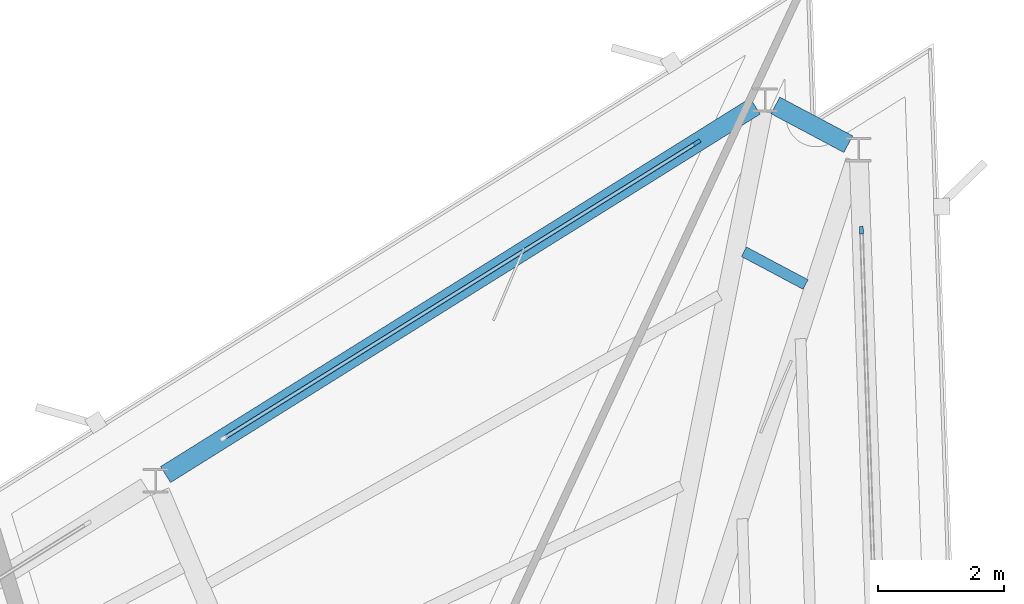
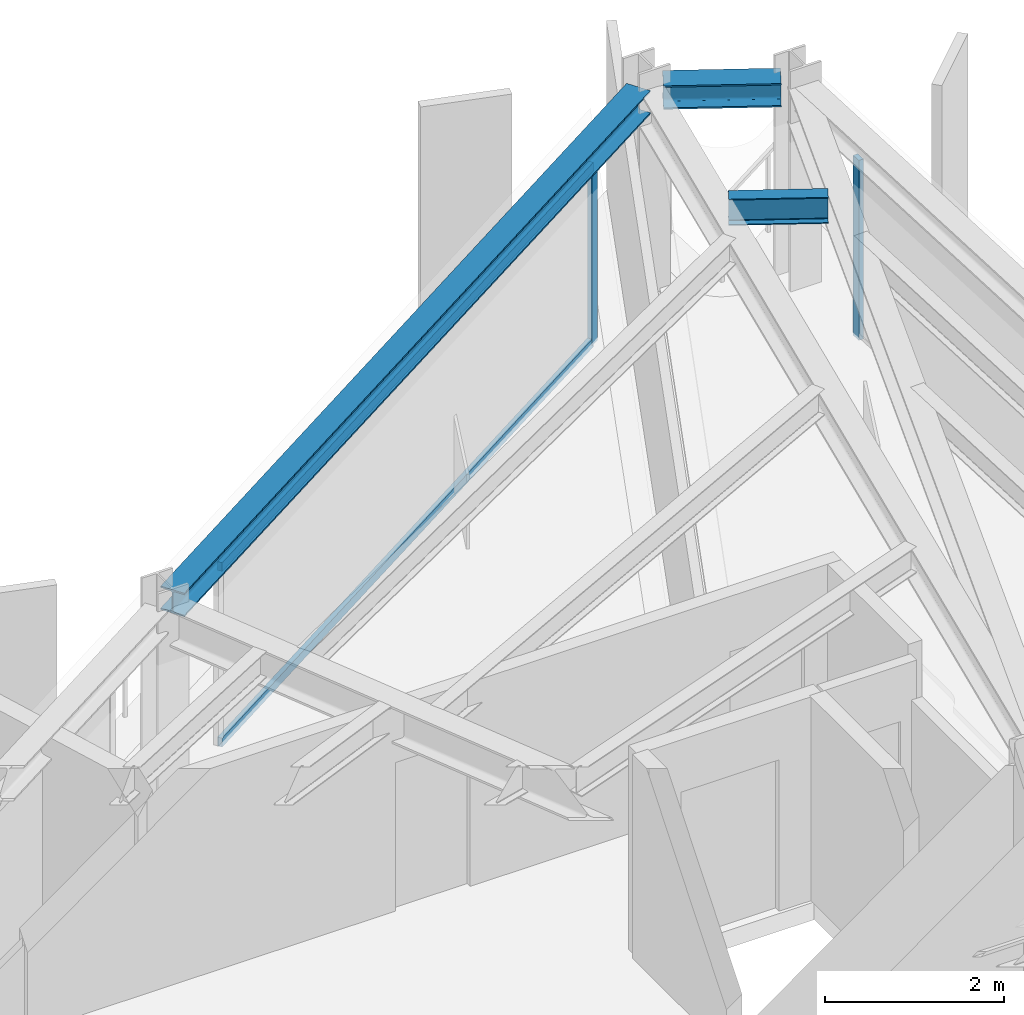
# One storey, part 7 of 13: 4 members, 3 beams, 2 elements without a shape of their own.
"""IFC4 building model written with IfcOpenShell, lengths in metres."""

from ifc_helpers import new_model, si_unit, direction, frame, origin, origin_2d, place, context, subcontext, project, spatial, rectangle, i_section, extrude, material, layer, layer_set, material_profile, profile_set, type_object, element, aggregate, save


model = new_model("IFC4")

# Units and contexts
model_context = context("Model", 3, precision=1e-05, world=origin(), true_north=direction((0.0, 1.0)))
body_context = subcontext(model_context, "Body", "Model", "MODEL_VIEW")
ifc_project = project(units=[si_unit("LENGTHUNIT", "METRE"), si_unit("AREAUNIT", "SQUARE_METRE"), si_unit("VOLUMEUNIT", "CUBIC_METRE"), si_unit("PLANEANGLEUNIT", "RADIAN"), si_unit("MASSUNIT", "GRAM", prefix="KILO")], contexts=[model_context])

# Site, building, storey
site_placement = place(None, origin())
site = spatial("IfcSite", under=ifc_project, at=site_placement, CompositionType="ELEMENT")
building_placement = place(site_placement, origin())
building = spatial("IfcBuilding", under=site, at=building_placement, Name="Rocaltana Carrier Exchange", CompositionType="ELEMENT")
storey_placement = place(building_placement, frame((0.0, 0.0, 199.679931640625)))
storey = spatial("IfcBuildingStorey", under=building, at=storey_placement, Name="L63", CompositionType="ELEMENT", Elevation=199.679931640625)

# Curtain wall, member
ifc_material_1 = material(Name="Aluminium 6063-T6", Category="aluminium")
ifc_layer = layer(ifc_material_1, 0.1201171875)
ifc_layer_set = layer_set([ifc_layer], Name="Aluminium 6063-T6")
curtain_wall_type = type_object("IfcCurtainWallType", Name="High-Altitude Thermal Curtain Wall CW-05", PredefinedType="NOTDEFINED", material=ifc_layer_set)
curtain_wall_1_placement = place(storey_placement, origin())
curtain_wall_1 = element("IfcCurtainWall", 1, at=curtain_wall_1_placement, inside=storey, type_object=curtain_wall_type, Name="L63 CW-05 Run CW-L63-F1S3", PredefinedType="NOTDEFINED")
ifc_material_2 = material(Name="Aluminium 6063-T6", Category="aluminium")
ifc_material_profile_1 = material_profile(ifc_material_2, rectangle(XDim=0.06005859375, YDim=0.1201171875, at=origin_2d()), Name="AL-60X120")
ifc_profile_set_1 = profile_set([ifc_material_profile_1], Name="Aluminium 6063-T6")
member_type_1 = type_object("IfcMemberType", Name="CW-05 Mullion AL-60X120", PredefinedType="MULLION", material=ifc_profile_set_1)
member_1_placement = place(storey_placement, frame((10.31396484375, 16.239990234375, 0.0), z_axis=(0.0, 0.0, 1.0), x_axis=(-0.999390720156, -0.034902556738, 0.0)))
member_1 = element("IfcMember", 2, at=member_1_placement, type_object=member_type_1, Name="CW-05 mullion 2", PredefinedType="MULLION", context=body_context, shape_type="SweptSolid", body=[
    extrude(rectangle(XDim=0.06005859375, YDim=0.1201171875, at=origin_2d()), origin(), (0.0, 0.0, 1.0), 2.447998046875),
])
aggregate(curtain_wall_1, [member_1])

# Curtain wall, members
curtain_wall_2_placement = place(storey_placement, origin())
curtain_wall_2 = element("IfcCurtainWall", 3, at=curtain_wall_2_placement, inside=storey, type_object=curtain_wall_type, Name="L63 CW-05 Run CW-L63-F2S1", PredefinedType="NOTDEFINED")
member_2_placement = place(storey_placement, frame((7.696044921875, 17.6318359375, 0.0), z_axis=(0.0, 0.0, 1.0), x_axis=(0.529928503412, -0.848042322807, 0.0)))
member_2 = element("IfcMember", 4, at=member_2_placement, type_object=member_type_1, Name="CW-05 mullion 1", PredefinedType="MULLION", context=body_context, shape_type="SweptSolid", body=[
    extrude(rectangle(XDim=0.06005859375, YDim=0.1201171875, at=origin_2d()), origin(), (0.0, 0.0, 1.0), 2.447998046875),
])
ifc_material_3 = material(Name="Aluminium 6063-T6", Category="aluminium")
ifc_material_profile_2 = material_profile(ifc_material_3, rectangle(XDim=0.06005859375, YDim=0.1201171875, at=origin_2d()), Name="AL-60X120")
ifc_profile_set_2 = profile_set([ifc_material_profile_2], Name="Aluminium 6063-T6")
member_type_2 = type_object("IfcMemberType", Name="CW-05 Transom AL-60X120", PredefinedType="USERDEFINED", material=ifc_profile_set_2)
member_3_placement = place(storey_placement, frame((7.67041015625, 17.615966796875, 0.030029296875), z_axis=(-0.848037208835, -0.529936687192, 0.0), x_axis=(0.529936687192, -0.848037208835, 0.0)))
member_3 = element("IfcMember", 5, at=member_3_placement, type_object=member_type_2, Name="CW-05 transom 1.1", ObjectType="TRANSOM", PredefinedType="USERDEFINED", context=body_context, shape_type="SweptSolid", body=[
    extrude(rectangle(XDim=0.06005859375, YDim=0.1201171875, at=origin_2d()), origin(), (0.0, 0.0, 1.0), 8.813232421875),
])
member_4_placement = place(storey_placement, frame((7.67041015625, 17.615966796875, 2.41796875), z_axis=(-0.848037208835, -0.529936687192, 0.0), x_axis=(0.529936687192, -0.848037208835, 0.0)))
member_4 = element("IfcMember", 6, at=member_4_placement, type_object=member_type_2, Name="CW-05 transom 1.2", ObjectType="TRANSOM", PredefinedType="USERDEFINED", context=body_context, shape_type="SweptSolid", body=[
    extrude(rectangle(XDim=0.06005859375, YDim=0.1201171875, at=origin_2d()), origin(), (0.0, 0.0, 1.0), 8.813232421875),
])
aggregate(curtain_wall_2, [member_2, member_3, member_4])

# Beams
ifc_material_4 = material(Name="Steel S355", Category="steel")
ifc_material_profile_3 = material_profile(ifc_material_4, i_section(OverallWidth=0.172119140625, OverallDepth=0.35791015625, WebThickness=0.0078125, FlangeThickness=0.01318359375, FilletRadius=0.011962890625, at=origin_2d()), Name="W14X38")
ifc_profile_set_3 = profile_set([ifc_material_profile_3], Name="Steel S355")
beam_type_1 = type_object("IfcBeamType", Name="Floor Joist W14X38", PredefinedType="JOIST", material=ifc_profile_set_3)
beam_1_placement = place(storey_placement, frame((9.4248046875, 15.37353515625, 2.619140625), z_axis=(-0.882979040658, 0.469412413298, 0.0), x_axis=(-0.469412413298, -0.882979040658, 0.0)))
element("IfcBeam", 7, at=beam_1_placement, inside=storey, type_object=beam_type_1, Name="FJ-L63-04-3", PredefinedType="JOIST", context=body_context, shape_type="SweptSolid", body=[
    extrude(i_section(OverallWidth=0.172119140625, OverallDepth=0.35791015625, WebThickness=0.0078125, FlangeThickness=0.01318359375, FilletRadius=0.011962890625, at=origin_2d()), origin(), (0.0, 0.0, 1.0), 1.1103515625),
])
ifc_material_5 = material(Name="Steel S355", Category="steel")
ifc_material_profile_4 = material_profile(ifc_material_5, i_section(OverallWidth=0.300048828125, OverallDepth=0.320068359375, WebThickness=0.011474609375, FlangeThickness=0.0205078125, FilletRadius=0.027099609375, at=origin_2d()), Name="HEB320")
ifc_profile_set_4 = profile_set([ifc_material_profile_4], Name="Steel S355")
beam_type_2 = type_object("IfcBeamType", Name="Spandrel Edge Beam HEB320", PredefinedType="SPANDREL", material=ifc_profile_set_4)
beam_2_placement = place(storey_placement, frame((10.10546875, 17.606201171875, 2.63818359375), z_axis=(-0.883000211898, 0.469372587385, 0.0), x_axis=(-0.469372587385, -0.883000211898, 0.0)))
element("IfcBeam", 8, at=beam_2_placement, inside=storey, type_object=beam_type_2, Name="SP-L63-04", PredefinedType="SPANDREL", context=body_context, shape_type="SweptSolid", body=[
    extrude(i_section(OverallWidth=0.300048828125, OverallDepth=0.320068359375, WebThickness=0.011474609375, FlangeThickness=0.0205078125, FilletRadius=0.027099609375, at=origin_2d()), origin(), (0.0, 0.0, 1.0), 1.31396484375),
])
beam_3_placement = place(storey_placement, frame((8.624267578125, 18.2119140625, 2.63818359375), z_axis=(-0.848040456441, -0.529931490138, 0.0), x_axis=(0.529931490138, -0.848040456441, 0.0)))
element("IfcBeam", 9, at=beam_3_placement, inside=storey, type_object=beam_type_2, Name="SP-L63-05", PredefinedType="SPANDREL", context=body_context, shape_type="SweptSolid", body=[
    extrude(i_section(OverallWidth=0.300048828125, OverallDepth=0.320068359375, WebThickness=0.011474609375, FlangeThickness=0.0205078125, FilletRadius=0.027099609375, at=origin_2d()), origin(), (0.0, 0.0, 1.0), 11.0625),
])

save(model, "model.ifc")
